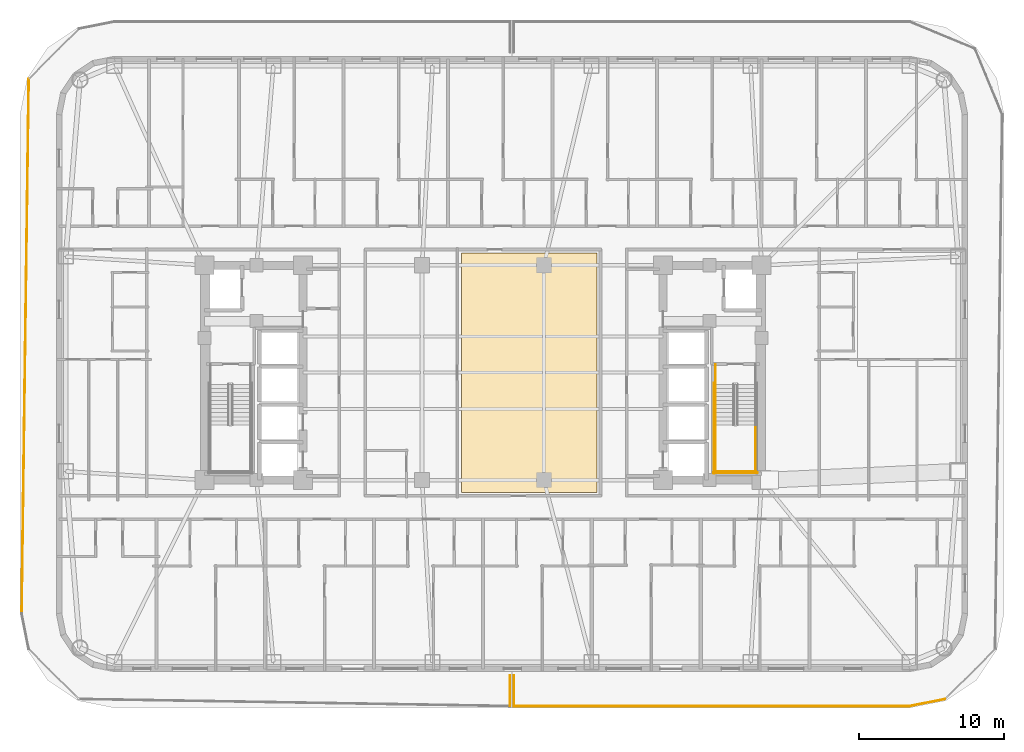
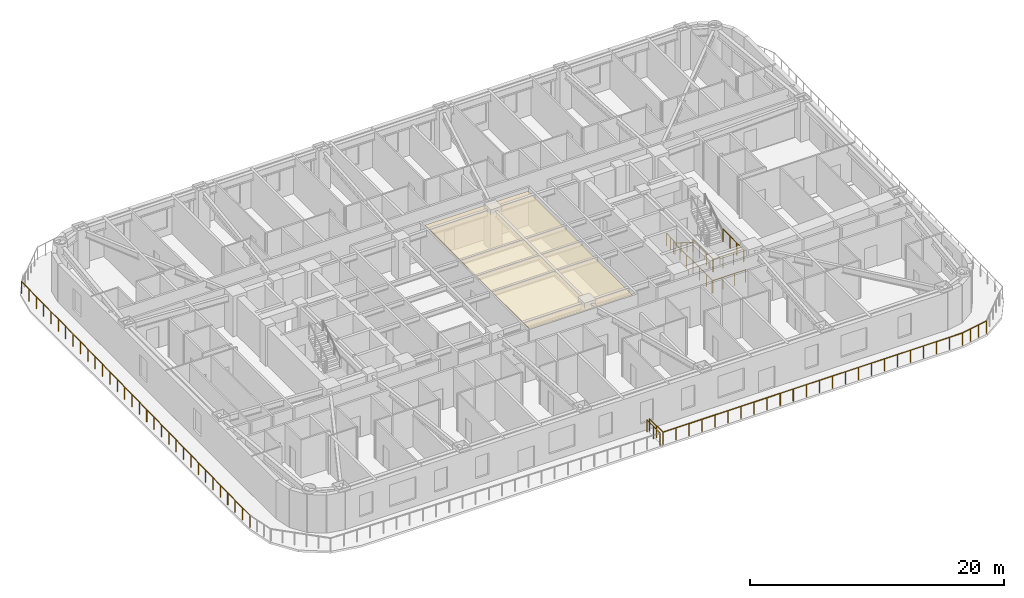
# One storey, part 14 of 16: 12 railings, 1 covering.
"""IFC4 building model written with IfcOpenShell, lengths in metres."""

from ifc_helpers import new_model, si_unit, direction, frame, origin, origin_2d, place, context, subcontext, project, spatial, polyline, circle, outline, extrude, material, layer, layer_set, type_object, element, save


model = new_model("IFC4")

# Units and contexts
model_context = context("Model", 3, precision=1e-05, world=origin(), true_north=direction((0.0, 1.0)))
body_context = subcontext(model_context, "Body", "Model", "MODEL_VIEW")
ifc_project = project(units=[si_unit("LENGTHUNIT", "METRE"), si_unit("AREAUNIT", "SQUARE_METRE"), si_unit("VOLUMEUNIT", "CUBIC_METRE"), si_unit("PLANEANGLEUNIT", "RADIAN"), si_unit("MASSUNIT", "GRAM", prefix="KILO")], contexts=[model_context])

# Site, building, storey
site_placement = place(None, origin())
site = spatial("IfcSite", under=ifc_project, at=site_placement, CompositionType="ELEMENT")
building_placement = place(site_placement, origin())
building = spatial("IfcBuilding", under=site, at=building_placement, Name="Voryun Gate Residences", CompositionType="ELEMENT")
storey_placement = place(building_placement, frame((0.0, 0.0, 113.10009765625)))
storey = spatial("IfcBuildingStorey", under=building, at=storey_placement, Name="L27", CompositionType="ELEMENT", Elevation=113.10009765625)

# Covering
ifc_material_1 = material(Name="Gypsum acoustic ceiling")
ifc_layer = layer(ifc_material_1, 0.02490234375, Name="COV_CEILING_ACOUSTIC")
ifc_layer_set = layer_set([ifc_layer], Name="Gypsum acoustic ceiling")
covering_type = type_object("IfcCoveringType", Name="COV_CEILING_ACOUSTIC", PredefinedType="CEILING", material=ifc_layer_set)
covering_placement = place(storey_placement, frame((0.0, 0.0, 3.39990234375)))
element("IfcCovering", 1, at=covering_placement, inside=storey, type_object=covering_type, Name="Acoustic ceiling CLG-L27-01", PredefinedType="CEILING", context=body_context, shape_type="SweptSolid", body=[
    extrude(outline(polyline([(-1.492919921875, 8.25), (7.840087890625, 8.25), (7.840087890625, -8.25), (-1.492919921875, -8.25), (-1.492919921875, 8.25)])), origin(), (0.0, 0.0, 1.0), 0.02490234375),
])

# Railings
ifc_material_2 = material(Name="Anodised aluminium", Category="aluminium")
railing_type_1 = type_object("IfcRailingType", Name="RAIL_BALCONY_GUARD_1200", PredefinedType="GUARDRAIL", material=ifc_material_2)
railing_1_placement = place(storey_placement, frame((-31.780029296875, -16.588134765625, 0.0)))
element("IfcRailing", 2, at=railing_1_placement, inside=storey, type_object=railing_type_1, Name="Terrace guard RL-L27-P1L1-03", PredefinedType="GUARDRAIL", context=body_context, shape_type="SweptSolid", body=[
    extrude(circle(Radius=0.02392578125, at=origin_2d()), frame((0.0, 0.0, 1.17578125), z_axis=(0.013243783692, 0.999912297251, 0.0), x_axis=(-0.999912297251, 0.013243783692, 0.0)), (0.0, 0.0, 1.0), 36.831787109375),
    extrude(circle(Radius=0.02099609375, at=origin_2d()), origin(), (0.0, 0.0, 1.0), 1.15185546875),
    extrude(circle(Radius=0.02099609375, at=origin_2d()), frame((0.015625, 1.18798828125, 0.0)), (0.0, 0.0, 1.0), 1.15185546875),
    extrude(circle(Radius=0.02099609375, at=origin_2d()), frame((0.031494140625, 2.3759765625, 0.0)), (0.0, 0.0, 1.0), 1.15185546875),
    extrude(circle(Radius=0.02099609375, at=origin_2d()), frame((0.047119140625, 3.56396484375, 0.0)), (0.0, 0.0, 1.0), 1.15185546875),
    extrude(circle(Radius=0.02099609375, at=origin_2d()), frame((0.06298828125, 4.752197265625, 0.0)), (0.0, 0.0, 1.0), 1.15185546875),
    extrude(circle(Radius=0.02099609375, at=origin_2d()), frame((0.07861328125, 5.940185546875, 0.0)), (0.0, 0.0, 1.0), 1.15185546875),
    extrude(circle(Radius=0.02099609375, at=origin_2d()), frame((0.094482421875, 7.128173828125, 0.0)), (0.0, 0.0, 1.0), 1.15185546875),
    extrude(circle(Radius=0.02099609375, at=origin_2d()), frame((0.110107421875, 8.316162109375, 0.0)), (0.0, 0.0, 1.0), 1.15185546875),
    extrude(circle(Radius=0.02099609375, at=origin_2d()), frame((0.1259765625, 9.504150390625, 0.0)), (0.0, 0.0, 1.0), 1.15185546875),
    extrude(circle(Radius=0.02099609375, at=origin_2d()), frame((0.1416015625, 10.692138671875, 0.0)), (0.0, 0.0, 1.0), 1.15185546875),
    extrude(circle(Radius=0.02099609375, at=origin_2d()), frame((0.157470703125, 11.880126953125, 0.0)), (0.0, 0.0, 1.0), 1.15185546875),
    extrude(circle(Radius=0.02099609375, at=origin_2d()), frame((0.173095703125, 13.068115234375, 0.0)), (0.0, 0.0, 1.0), 1.15185546875),
    extrude(circle(Radius=0.02099609375, at=origin_2d()), frame((0.188720703125, 14.25634765625, 0.0)), (0.0, 0.0, 1.0), 1.15185546875),
    extrude(circle(Radius=0.02099609375, at=origin_2d()), frame((0.20458984375, 15.4443359375, 0.0)), (0.0, 0.0, 1.0), 1.15185546875),
    extrude(circle(Radius=0.02099609375, at=origin_2d()), frame((0.22021484375, 16.63232421875, 0.0)), (0.0, 0.0, 1.0), 1.15185546875),
    extrude(circle(Radius=0.02099609375, at=origin_2d()), frame((0.236083984375, 17.8203125, 0.0)), (0.0, 0.0, 1.0), 1.15185546875),
    extrude(circle(Radius=0.02099609375, at=origin_2d()), frame((0.251708984375, 19.00830078125, 0.0)), (0.0, 0.0, 1.0), 1.15185546875),
    extrude(circle(Radius=0.02099609375, at=origin_2d()), frame((0.267578125, 20.1962890625, 0.0)), (0.0, 0.0, 1.0), 1.15185546875),
    extrude(circle(Radius=0.02099609375, at=origin_2d()), frame((0.283203125, 21.38427734375, 0.0)), (0.0, 0.0, 1.0), 1.15185546875),
    extrude(circle(Radius=0.02099609375, at=origin_2d()), frame((0.299072265625, 22.572265625, 0.0)), (0.0, 0.0, 1.0), 1.15185546875),
    extrude(circle(Radius=0.02099609375, at=origin_2d()), frame((0.314697265625, 23.760498046875, 0.0)), (0.0, 0.0, 1.0), 1.15185546875),
    extrude(circle(Radius=0.02099609375, at=origin_2d()), frame((0.330322265625, 24.948486328125, 0.0)), (0.0, 0.0, 1.0), 1.15185546875),
    extrude(circle(Radius=0.02099609375, at=origin_2d()), frame((0.34619140625, 26.136474609375, 0.0)), (0.0, 0.0, 1.0), 1.15185546875),
    extrude(circle(Radius=0.02099609375, at=origin_2d()), frame((0.36181640625, 27.324462890625, 0.0)), (0.0, 0.0, 1.0), 1.15185546875),
    extrude(circle(Radius=0.02099609375, at=origin_2d()), frame((0.377685546875, 28.512451171875, 0.0)), (0.0, 0.0, 1.0), 1.15185546875),
    extrude(circle(Radius=0.02099609375, at=origin_2d()), frame((0.393310546875, 29.700439453125, 0.0)), (0.0, 0.0, 1.0), 1.15185546875),
    extrude(circle(Radius=0.02099609375, at=origin_2d()), frame((0.4091796875, 30.888427734375, 0.0)), (0.0, 0.0, 1.0), 1.15185546875),
    extrude(circle(Radius=0.02099609375, at=origin_2d()), frame((0.4248046875, 32.076416015625, 0.0)), (0.0, 0.0, 1.0), 1.15185546875),
    extrude(circle(Radius=0.02099609375, at=origin_2d()), frame((0.440673828125, 33.2646484375, 0.0)), (0.0, 0.0, 1.0), 1.15185546875),
    extrude(circle(Radius=0.02099609375, at=origin_2d()), frame((0.456298828125, 34.45263671875, 0.0)), (0.0, 0.0, 1.0), 1.15185546875),
    extrude(circle(Radius=0.02099609375, at=origin_2d()), frame((0.47216796875, 35.640625, 0.0)), (0.0, 0.0, 1.0), 1.15185546875),
    extrude(circle(Radius=0.02099609375, at=origin_2d()), frame((0.48779296875, 36.82861328125, 0.0)), (0.0, 0.0, 1.0), 1.15185546875),
])
railing_2_placement = place(storey_placement, frame((1.8701171875, -20.8798828125, 0.0)))
element("IfcRailing", 3, at=railing_2_placement, inside=storey, type_object=railing_type_1, Name="Terrace guard RL-L27-P1L2-01", PredefinedType="GUARDRAIL", context=body_context, shape_type="SweptSolid", body=[
    extrude(circle(Radius=0.02392578125, at=origin_2d()), frame((0.0, 0.0, 1.17578125), z_axis=(0.0, -1.0, 0.0), x_axis=(1.0, 0.0, 0.0)), (0.0, 0.0, 1.0), 2.10009765625),
    extrude(circle(Radius=0.02099609375, at=origin_2d()), origin(), (0.0, 0.0, 1.0), 1.15185546875),
    extrude(circle(Radius=0.02099609375, at=origin_2d()), frame((0.0, -1.050048828125, 0.0)), (0.0, 0.0, 1.0), 1.15185546875),
    extrude(circle(Radius=0.02099609375, at=origin_2d()), frame((0.0, -2.10009765625, 0.0)), (0.0, 0.0, 1.0), 1.15185546875),
])
railing_3_placement = place(storey_placement, frame((31.840576171875, -22.4921875, 0.0)))
element("IfcRailing", 4, at=railing_3_placement, inside=storey, type_object=railing_type_1, Name="Terrace guard RL-L27-P2L1-05", PredefinedType="GUARDRAIL", context=body_context, shape_type="SweptSolid", body=[
    extrude(circle(Radius=0.02392578125, at=origin_2d()), frame((0.0, 0.0, 1.17578125), z_axis=(-0.980786676525, -0.195083303106, 0.0), x_axis=(0.195083303106, -0.980786676525, 0.0)), (0.0, 0.0, 1.0), 2.50048828125),
    extrude(circle(Radius=0.02099609375, at=origin_2d()), origin(), (0.0, 0.0, 1.0), 1.15185546875),
    extrude(circle(Radius=0.02099609375, at=origin_2d()), frame((-0.8173828125, -0.16259765625, 0.0)), (0.0, 0.0, 1.0), 1.15185546875),
    extrude(circle(Radius=0.02099609375, at=origin_2d()), frame((-1.635009765625, -0.3251953125, 0.0)), (0.0, 0.0, 1.0), 1.15185546875),
    extrude(circle(Radius=0.02099609375, at=origin_2d()), frame((-2.452392578125, -0.48779296875, 0.0)), (0.0, 0.0, 1.0), 1.15185546875),
])
railing_4_placement = place(storey_placement, frame((29.38818359375, -22.97998046875, 0.0)))
element("IfcRailing", 5, at=railing_4_placement, inside=storey, type_object=railing_type_1, Name="Terrace guard RL-L27-P2L1-06", PredefinedType="GUARDRAIL", context=body_context, shape_type="SweptSolid", body=[
    extrude(circle(Radius=0.02392578125, at=origin_2d()), frame((0.0, 0.0, 1.17578125), z_axis=(-1.0, 0.0, 0.0), x_axis=(0.0, -1.0, 0.0)), (0.0, 0.0, 1.0), 27.25830078125),
    extrude(circle(Radius=0.02099609375, at=origin_2d()), origin(), (0.0, 0.0, 1.0), 1.15185546875),
    extrude(circle(Radius=0.02099609375, at=origin_2d()), frame((-1.18505859375, 0.0, 0.0)), (0.0, 0.0, 1.0), 1.15185546875),
    extrude(circle(Radius=0.02099609375, at=origin_2d()), frame((-2.370361328125, 0.0, 0.0)), (0.0, 0.0, 1.0), 1.15185546875),
    extrude(circle(Radius=0.02099609375, at=origin_2d()), frame((-3.555419921875, 0.0, 0.0)), (0.0, 0.0, 1.0), 1.15185546875),
    extrude(circle(Radius=0.02099609375, at=origin_2d()), frame((-4.740478515625, 0.0, 0.0)), (0.0, 0.0, 1.0), 1.15185546875),
    extrude(circle(Radius=0.02099609375, at=origin_2d()), frame((-5.92578125, 0.0, 0.0)), (0.0, 0.0, 1.0), 1.15185546875),
    extrude(circle(Radius=0.02099609375, at=origin_2d()), frame((-7.11083984375, 0.0, 0.0)), (0.0, 0.0, 1.0), 1.15185546875),
    extrude(circle(Radius=0.02099609375, at=origin_2d()), frame((-8.2958984375, 0.0, 0.0)), (0.0, 0.0, 1.0), 1.15185546875),
    extrude(circle(Radius=0.02099609375, at=origin_2d()), frame((-9.481201171875, 0.0, 0.0)), (0.0, 0.0, 1.0), 1.15185546875),
    extrude(circle(Radius=0.02099609375, at=origin_2d()), frame((-10.666259765625, 0.0, 0.0)), (0.0, 0.0, 1.0), 1.15185546875),
    extrude(circle(Radius=0.02099609375, at=origin_2d()), frame((-11.851318359375, 0.0, 0.0)), (0.0, 0.0, 1.0), 1.15185546875),
    extrude(circle(Radius=0.02099609375, at=origin_2d()), frame((-13.03662109375, 0.0, 0.0)), (0.0, 0.0, 1.0), 1.15185546875),
    extrude(circle(Radius=0.02099609375, at=origin_2d()), frame((-14.2216796875, 0.0, 0.0)), (0.0, 0.0, 1.0), 1.15185546875),
    extrude(circle(Radius=0.02099609375, at=origin_2d()), frame((-15.406982421875, 0.0, 0.0)), (0.0, 0.0, 1.0), 1.15185546875),
    extrude(circle(Radius=0.02099609375, at=origin_2d()), frame((-16.592041015625, 0.0, 0.0)), (0.0, 0.0, 1.0), 1.15185546875),
    extrude(circle(Radius=0.02099609375, at=origin_2d()), frame((-17.777099609375, 0.0, 0.0)), (0.0, 0.0, 1.0), 1.15185546875),
    extrude(circle(Radius=0.02099609375, at=origin_2d()), frame((-18.96240234375, 0.0, 0.0)), (0.0, 0.0, 1.0), 1.15185546875),
    extrude(circle(Radius=0.02099609375, at=origin_2d()), frame((-20.1474609375, 0.0, 0.0)), (0.0, 0.0, 1.0), 1.15185546875),
    extrude(circle(Radius=0.02099609375, at=origin_2d()), frame((-21.33251953125, 0.0, 0.0)), (0.0, 0.0, 1.0), 1.15185546875),
    extrude(circle(Radius=0.02099609375, at=origin_2d()), frame((-22.517822265625, 0.0, 0.0)), (0.0, 0.0, 1.0), 1.15185546875),
    extrude(circle(Radius=0.02099609375, at=origin_2d()), frame((-23.702880859375, 0.0, 0.0)), (0.0, 0.0, 1.0), 1.15185546875),
    extrude(circle(Radius=0.02099609375, at=origin_2d()), frame((-24.887939453125, 0.0, 0.0)), (0.0, 0.0, 1.0), 1.15185546875),
    extrude(circle(Radius=0.02099609375, at=origin_2d()), frame((-26.0732421875, 0.0, 0.0)), (0.0, 0.0, 1.0), 1.15185546875),
    extrude(circle(Radius=0.02099609375, at=origin_2d()), frame((-27.25830078125, 0.0, 0.0)), (0.0, 0.0, 1.0), 1.15185546875),
])
railing_5_placement = place(storey_placement, frame((2.1298828125, -22.97998046875, 0.0)))
element("IfcRailing", 6, at=railing_5_placement, inside=storey, type_object=railing_type_1, Name="Terrace guard RL-L27-P2L1-07", PredefinedType="GUARDRAIL", context=body_context, shape_type="SweptSolid", body=[
    extrude(circle(Radius=0.02392578125, at=origin_2d()), frame((0.0, 0.0, 1.17578125), z_axis=(0.0, 1.0, 0.0), x_axis=(-1.0, 0.0, 0.0)), (0.0, 0.0, 1.0), 2.10009765625),
    extrude(circle(Radius=0.02099609375, at=origin_2d()), origin(), (0.0, 0.0, 1.0), 1.15185546875),
    extrude(circle(Radius=0.02099609375, at=origin_2d()), frame((0.0, 1.050048828125, 0.0)), (0.0, 0.0, 1.0), 1.15185546875),
    extrude(circle(Radius=0.02099609375, at=origin_2d()), frame((0.0, 2.10009765625, 0.0)), (0.0, 0.0, 1.0), 1.15185546875),
])
ifc_material_3 = material(Name="Painted steel", Category="steel")
railing_type_2 = type_object("IfcRailingType", Name="RAIL_STAIR_GUARD_1200", PredefinedType="GUARDRAIL", material=ifc_material_3)
for number, where, name in (
    (7, (16.02490234375, -3.60009765625, 1.949951171875), "L27 ST-E1 stair guard 3"),
    (8, (18.77490234375, -3.60009765625, 1.949951171875), "L27 ST-E1 stair guard 4"),
):
    element("IfcRailing", number, at=place(storey_placement, frame(where)), inside=storey, type_object=railing_type_2, Name=name, PredefinedType="GUARDRAIL", context=body_context, shape_type="SweptSolid", body=[
        extrude(circle(Radius=0.02392578125, at=origin_2d()), frame((0.0, 0.0, 1.17578125), z_axis=(0.0, -1.0, 0.0), x_axis=(1.0, 0.0, 0.0)), (0.0, 0.0, 1.0), 3.25),
        extrude(circle(Radius=0.02099609375, at=origin_2d()), origin(), (0.0, 0.0, 1.0), 1.15185546875),
        extrude(circle(Radius=0.02099609375, at=origin_2d()), frame((0.0, -1.083251953125, 0.0)), (0.0, 0.0, 1.0), 1.15185546875),
        extrude(circle(Radius=0.02099609375, at=origin_2d()), frame((0.0, -2.166748046875, 0.0)), (0.0, 0.0, 1.0), 1.15185546875),
        extrude(circle(Radius=0.02099609375, at=origin_2d()), frame((0.0, -3.25, 0.0)), (0.0, 0.0, 1.0), 1.15185546875),
    ])
railing_6_placement = place(storey_placement, frame((15.97509765625, -6.800048828125, 1.949951171875)))
element("IfcRailing", 9, at=railing_6_placement, inside=storey, type_object=railing_type_2, Name="L27 ST-E1 stair guard 5", PredefinedType="GUARDRAIL", context=body_context, shape_type="SweptSolid", body=[
    extrude(circle(Radius=0.02392578125, at=origin_2d()), frame((0.0, 0.0, 1.17578125), z_axis=(1.0, 0.0, 0.0), x_axis=(0.0, 1.0, 0.0)), (0.0, 0.0, 1.0), 2.849853515625),
    extrude(circle(Radius=0.02099609375, at=origin_2d()), origin(), (0.0, 0.0, 1.0), 1.15185546875),
    extrude(circle(Radius=0.02099609375, at=origin_2d()), frame((0.949951171875, 0.0, 0.0)), (0.0, 0.0, 1.0), 1.15185546875),
    extrude(circle(Radius=0.02099609375, at=origin_2d()), frame((1.89990234375, 0.0, 0.0)), (0.0, 0.0, 1.0), 1.15185546875),
    extrude(circle(Radius=0.02099609375, at=origin_2d()), frame((2.849853515625, 0.0, 0.0)), (0.0, 0.0, 1.0), 1.15185546875),
])
railing_7_placement = place(storey_placement, frame((16.02490234375, 0.550048828125, 0.0)))
element("IfcRailing", 10, at=railing_7_placement, inside=storey, type_object=railing_type_2, Name="L27 ST-E1 stair guard 8", PredefinedType="GUARDRAIL", context=body_context, shape_type="SweptSolid", body=[
    extrude(circle(Radius=0.02392578125, at=origin_2d()), frame((0.0, 0.0, 1.17578125), z_axis=(0.0, -1.0, 0.0), x_axis=(1.0, 0.0, 0.0)), (0.0, 0.0, 1.0), 1.35009765625),
    extrude(circle(Radius=0.02099609375, at=origin_2d()), origin(), (0.0, 0.0, 1.0), 1.15185546875),
    extrude(circle(Radius=0.02099609375, at=origin_2d()), frame((0.0, -0.675048828125, 0.0)), (0.0, 0.0, 1.0), 1.15185546875),
    extrude(circle(Radius=0.02099609375, at=origin_2d()), frame((0.0, -1.35009765625, 0.0)), (0.0, 0.0, 1.0), 1.15185546875),
])
railing_8_placement = place(storey_placement, frame((15.925048828125, -0.699951171875, 0.0)))
element("IfcRailing", 11, at=railing_8_placement, inside=storey, type_object=railing_type_2, Name="L27 ST-E1 stair guard 10", PredefinedType="GUARDRAIL", context=body_context, shape_type="SweptSolid", body=[
    extrude(circle(Radius=0.02392578125, at=origin_2d()), frame((0.0, 0.0, 1.17578125), z_axis=(0.0, -1.0, 0.0), x_axis=(1.0, 0.0, 0.0)), (0.0, 0.0, 1.0), 6.25),
    extrude(circle(Radius=0.02099609375, at=origin_2d()), origin(), (0.0, 0.0, 1.0), 1.15185546875),
    extrude(circle(Radius=0.02099609375, at=origin_2d()), frame((0.0, -1.041748046875, 0.0)), (0.0, 0.0, 1.0), 1.15185546875),
    extrude(circle(Radius=0.02099609375, at=origin_2d()), frame((0.0, -2.083251953125, 0.0)), (0.0, 0.0, 1.0), 1.15185546875),
    extrude(circle(Radius=0.02099609375, at=origin_2d()), frame((0.0, -3.125, 0.0)), (0.0, 0.0, 1.0), 1.15185546875),
    extrude(circle(Radius=0.02099609375, at=origin_2d()), frame((0.0, -4.166748046875, 0.0)), (0.0, 0.0, 1.0), 1.15185546875),
    extrude(circle(Radius=0.02099609375, at=origin_2d()), frame((0.0, -5.208251953125, 0.0)), (0.0, 0.0, 1.0), 1.15185546875),
    extrude(circle(Radius=0.02099609375, at=origin_2d()), frame((0.0, -6.25, 0.0)), (0.0, 0.0, 1.0), 1.15185546875),
])
railing_9_placement = place(storey_placement, frame((15.875, -6.89990234375, 0.0)))
element("IfcRailing", 12, at=railing_9_placement, inside=storey, type_object=railing_type_2, Name="L27 ST-E1 stair guard 12", PredefinedType="GUARDRAIL", context=body_context, shape_type="SweptSolid", body=[
    extrude(circle(Radius=0.02392578125, at=origin_2d()), frame((0.0, 0.0, 1.17578125), z_axis=(1.0, 0.0, 0.0), x_axis=(0.0, 1.0, 0.0)), (0.0, 0.0, 1.0), 3.050048828125),
    extrude(circle(Radius=0.02099609375, at=origin_2d()), origin(), (0.0, 0.0, 1.0), 1.15185546875),
    extrude(circle(Radius=0.02099609375, at=origin_2d()), frame((1.0166015625, 0.0, 0.0)), (0.0, 0.0, 1.0), 1.15185546875),
    extrude(circle(Radius=0.02099609375, at=origin_2d()), frame((2.033447265625, 0.0, 0.0)), (0.0, 0.0, 1.0), 1.15185546875),
    extrude(circle(Radius=0.02099609375, at=origin_2d()), frame((3.050048828125, 0.0, 0.0)), (0.0, 0.0, 1.0), 1.15185546875),
])
ifc_material_4 = material(Name="Painted steel", Category="steel")
railing_type_3 = type_object("IfcRailingType", Name="RAIL_STAIR_HANDRAIL_900", PredefinedType="HANDRAIL", material=ifc_material_4)
railing_10_placement = place(storey_placement, frame((16.02490234375, -0.800048828125, 0.17724609375)))
element("IfcRailing", 13, at=railing_10_placement, inside=storey, type_object=railing_type_3, Name="L27 ST-E1 stair handrail 1", PredefinedType="HANDRAIL", context=body_context, shape_type="SweptSolid", body=[
    extrude(circle(Radius=0.02392578125, at=origin_2d()), frame((0.0, 0.0, 0.8759765625), z_axis=(0.0, -0.844908973607, 0.534910110503), x_axis=(1.0, 0.0, 0.0)), (0.0, 0.0, 1.0), 3.31396484375),
    extrude(circle(Radius=0.02099609375, at=origin_2d()), origin(), (0.0, 0.0, 1.0), 0.851806640625),
    extrude(circle(Radius=0.02099609375, at=origin_2d()), frame((0.0, -0.933349609375, 0.5908203125)), (0.0, 0.0, 1.0), 0.851806640625),
    extrude(circle(Radius=0.02099609375, at=origin_2d()), frame((0.0, -1.86669921875, 1.181884765625)), (0.0, 0.0, 1.0), 0.851806640625),
    extrude(circle(Radius=0.02099609375, at=origin_2d()), frame((0.0, -2.800048828125, 1.772705078125)), (0.0, 0.0, 1.0), 0.851806640625),
])

save(model, "model.ifc")
